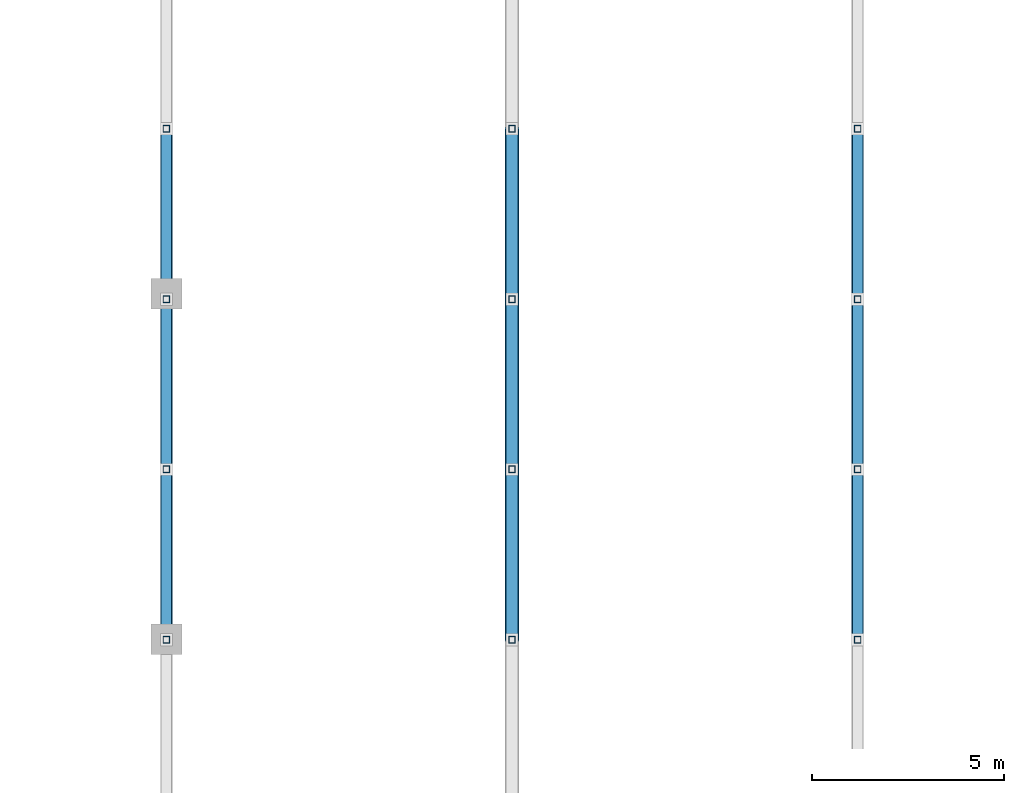
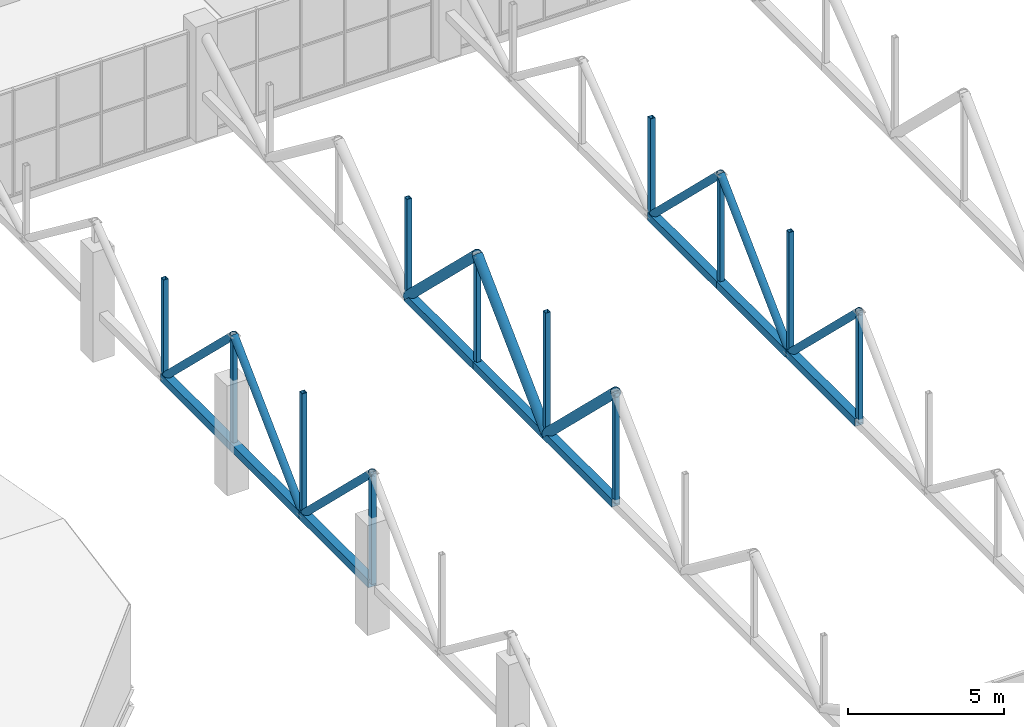
# One storey, part 17 of 103: 30 members.
"""IFC4 building model written with IfcOpenShell, lengths in metres."""

from ifc_helpers import new_model, si_unit, direction, frame, origin, origin_2d, place, context, subcontext, project, spatial, hollow_rectangle, hollow_circle, extrude, material, material_profile, profile_set, type_object, element, save


model = new_model("IFC4")

# Units and contexts
model_context = context("Model", 3, precision=1e-05, world=origin(), true_north=direction((0.0, 1.0)))
body_context = subcontext(model_context, "Body", "Model", "MODEL_VIEW")
ifc_project = project(units=[si_unit("LENGTHUNIT", "METRE"), si_unit("AREAUNIT", "SQUARE_METRE"), si_unit("VOLUMEUNIT", "CUBIC_METRE"), si_unit("PLANEANGLEUNIT", "RADIAN"), si_unit("MASSUNIT", "GRAM", prefix="KILO")], contexts=[model_context])

# Site, building, storey
site_placement = place(None, origin())
site = spatial("IfcSite", under=ifc_project, at=site_placement, CompositionType="ELEMENT")
building_placement = place(site_placement, origin())
building = spatial("IfcBuilding", under=site, at=building_placement, Name="Cazmaro Siding Exhibition Halls", CompositionType="ELEMENT")
storey_placement = place(building_placement, frame((0.0, 0.0, 16.5)))
storey = spatial("IfcBuildingStorey", under=building, at=storey_placement, Name="L03", CompositionType="ELEMENT", Elevation=16.5)

# Members
ifc_material_1 = material(Name="Steel ASTM A500 Grade C", Category="steel")
ifc_material_profile_1 = material_profile(ifc_material_1, hollow_rectangle(XDim=0.304931640625, YDim=0.304931640625, WallThickness=0.014892578125, at=origin_2d()), Name="HSS12X12X5/8")
ifc_profile_set_1 = profile_set([ifc_material_profile_1], Name="Steel ASTM A500 Grade C")
member_type_1 = type_object("IfcMemberType", Name="TC-02", PredefinedType="CHORD", material=ifc_profile_set_1)
for number, where, z_axis, x_axis, name in (
    (1, (72.0, 26.989990234375, 1.699951171875), (0.0, 1.0, 0.0), (-1.0, 0.0, 0.0), "Warren roof truss bottom chord TC-02 MEM-2315"),
    (2, (72.0, 31.425048828125, 1.699951171875), (0.0, 1.0, 0.0), (-1.0, 0.0, 0.0), "Warren roof truss bottom chord TC-02 MEM-2318"),
):
    element("IfcMember", number, at=place(storey_placement, frame(where, z_axis=z_axis, x_axis=x_axis)), inside=storey, type_object=member_type_1, Name=name, PredefinedType="CHORD", context=body_context, shape_type="SweptSolid", body=[
        extrude(hollow_rectangle(XDim=0.304931640625, YDim=0.304931640625, WallThickness=0.014892578125, at=origin_2d()), origin(), (0.0, 0.0, 1.0), 4.43505859375),
    ])
member_1_placement = place(storey_placement, frame((72.0, 35.860107421875, 1.699951171875), z_axis=(0.0, 1.0, 0.0), x_axis=(-1.0, 0.0, 0.0)))
element("IfcMember", 3, at=member_1_placement, inside=storey, type_object=member_type_1, Name="Warren roof truss bottom chord TC-02 MEM-2321", PredefinedType="CHORD", context=body_context, shape_type="SweptSolid", body=[
    extrude(hollow_rectangle(XDim=0.304931640625, YDim=0.304931640625, WallThickness=0.014892578125, at=origin_2d()), origin(), (0.0, 0.0, 1.0), 4.434814453125),
])
for number, where, z_axis, x_axis, name in (
    (4, (81.0, 26.989990234375, 1.699951171875), (0.0, 1.0, 0.0), (-1.0, 0.0, 0.0), "Warren roof truss bottom chord TC-02 MEM-2354"),
    (5, (81.0, 31.425048828125, 1.699951171875), (0.0, 1.0, 0.0), (-1.0, 0.0, 0.0), "Warren roof truss bottom chord TC-02 MEM-2357"),
):
    element("IfcMember", number, at=place(storey_placement, frame(where, z_axis=z_axis, x_axis=x_axis)), inside=storey, type_object=member_type_1, Name=name, PredefinedType="CHORD", context=body_context, shape_type="SweptSolid", body=[
        extrude(hollow_rectangle(XDim=0.304931640625, YDim=0.304931640625, WallThickness=0.014892578125, at=origin_2d()), origin(), (0.0, 0.0, 1.0), 4.43505859375),
    ])
member_2_placement = place(storey_placement, frame((81.0, 35.860107421875, 1.699951171875), z_axis=(0.0, 1.0, 0.0), x_axis=(-1.0, 0.0, 0.0)))
element("IfcMember", 6, at=member_2_placement, inside=storey, type_object=member_type_1, Name="Warren roof truss bottom chord TC-02 MEM-2360", PredefinedType="CHORD", context=body_context, shape_type="SweptSolid", body=[
    extrude(hollow_rectangle(XDim=0.304931640625, YDim=0.304931640625, WallThickness=0.014892578125, at=origin_2d()), origin(), (0.0, 0.0, 1.0), 4.434814453125),
])
for number, where, z_axis, x_axis, name in (
    (7, (90.0, 26.989990234375, 1.699951171875), (0.0, 1.0, 0.0), (-1.0, 0.0, 0.0), "Warren roof truss bottom chord TC-02 MEM-2393"),
    (8, (90.0, 31.425048828125, 1.699951171875), (0.0, 1.0, 0.0), (-1.0, 0.0, 0.0), "Warren roof truss bottom chord TC-02 MEM-2396"),
):
    element("IfcMember", number, at=place(storey_placement, frame(where, z_axis=z_axis, x_axis=x_axis)), inside=storey, type_object=member_type_1, Name=name, PredefinedType="CHORD", context=body_context, shape_type="SweptSolid", body=[
        extrude(hollow_rectangle(XDim=0.304931640625, YDim=0.304931640625, WallThickness=0.014892578125, at=origin_2d()), origin(), (0.0, 0.0, 1.0), 4.43505859375),
    ])
member_3_placement = place(storey_placement, frame((90.0, 35.860107421875, 1.699951171875), z_axis=(0.0, 1.0, 0.0), x_axis=(-1.0, 0.0, 0.0)))
element("IfcMember", 9, at=member_3_placement, inside=storey, type_object=member_type_1, Name="Warren roof truss bottom chord TC-02 MEM-2399", PredefinedType="CHORD", context=body_context, shape_type="SweptSolid", body=[
    extrude(hollow_rectangle(XDim=0.304931640625, YDim=0.304931640625, WallThickness=0.014892578125, at=origin_2d()), origin(), (0.0, 0.0, 1.0), 4.434814453125),
])
ifc_material_2 = material(Name="Steel ASTM A500 Grade C", Category="steel")
ifc_material_profile_2 = material_profile(ifc_material_2, hollow_rectangle(XDim=0.177978515625, YDim=0.177978515625, WallThickness=0.011962890625, at=origin_2d()), Name="HSS7X7X1/2")
ifc_profile_set_2 = profile_set([ifc_material_profile_2], Name="Steel ASTM A500 Grade C")
member_type_2 = type_object("IfcMemberType", Name="TP-02", PredefinedType="POST", material=ifc_profile_set_2)
member_4_placement = place(storey_placement, frame((72.0, 26.989990234375, 1.699951171875), z_axis=(0.0, 0.0, 1.0), x_axis=(1.0, 0.0, 0.0)))
element("IfcMember", 10, at=member_4_placement, inside=storey, type_object=member_type_2, Name="Warren roof truss vertical TP-02 MEM-2335", PredefinedType="POST", context=body_context, shape_type="SweptSolid", body=[
    extrude(hollow_rectangle(XDim=0.177978515625, YDim=0.177978515625, WallThickness=0.011962890625, at=origin_2d()), origin(), (0.0, 0.0, 1.0), 4.304931640625),
])
member_5_placement = place(storey_placement, frame((72.0, 31.425048828125, 1.699951171875), z_axis=(0.0, 0.0, 1.0), x_axis=(1.0, 0.0, 0.0)))
element("IfcMember", 11, at=member_5_placement, inside=storey, type_object=member_type_2, Name="Warren roof truss vertical TP-02 MEM-2336", PredefinedType="POST", context=body_context, shape_type="SweptSolid", body=[
    extrude(hollow_rectangle(XDim=0.177978515625, YDim=0.177978515625, WallThickness=0.011962890625, at=origin_2d()), origin(), (0.0, 0.0, 1.0), 4.77099609375),
])
member_6_placement = place(storey_placement, frame((72.0, 35.860107421875, 1.699951171875), z_axis=(0.0, 0.0, 1.0), x_axis=(1.0, 0.0, 0.0)))
element("IfcMember", 12, at=member_6_placement, inside=storey, type_object=member_type_2, Name="Warren roof truss vertical TP-02 MEM-2337", PredefinedType="POST", context=body_context, shape_type="SweptSolid", body=[
    extrude(hollow_rectangle(XDim=0.177978515625, YDim=0.177978515625, WallThickness=0.011962890625, at=origin_2d()), origin(), (0.0, 0.0, 1.0), 4.304931640625),
])
member_7_placement = place(storey_placement, frame((72.0, 40.294921875, 1.699951171875), z_axis=(0.0, 0.0, 1.0), x_axis=(1.0, 0.0, 0.0)))
element("IfcMember", 13, at=member_7_placement, inside=storey, type_object=member_type_2, Name="Warren roof truss vertical TP-02 MEM-2338", PredefinedType="POST", context=body_context, shape_type="SweptSolid", body=[
    extrude(hollow_rectangle(XDim=0.177978515625, YDim=0.177978515625, WallThickness=0.011962890625, at=origin_2d()), origin(), (0.0, 0.0, 1.0), 3.839111328125),
])
member_8_placement = place(storey_placement, frame((81.0, 26.989990234375, 1.699951171875), z_axis=(0.0, 0.0, 1.0), x_axis=(1.0, 0.0, 0.0)))
element("IfcMember", 14, at=member_8_placement, inside=storey, type_object=member_type_2, Name="Warren roof truss vertical TP-02 MEM-2374", PredefinedType="POST", context=body_context, shape_type="SweptSolid", body=[
    extrude(hollow_rectangle(XDim=0.177978515625, YDim=0.177978515625, WallThickness=0.011962890625, at=origin_2d()), origin(), (0.0, 0.0, 1.0), 4.304931640625),
])
member_9_placement = place(storey_placement, frame((81.0, 31.425048828125, 1.699951171875), z_axis=(0.0, 0.0, 1.0), x_axis=(1.0, 0.0, 0.0)))
element("IfcMember", 15, at=member_9_placement, inside=storey, type_object=member_type_2, Name="Warren roof truss vertical TP-02 MEM-2375", PredefinedType="POST", context=body_context, shape_type="SweptSolid", body=[
    extrude(hollow_rectangle(XDim=0.177978515625, YDim=0.177978515625, WallThickness=0.011962890625, at=origin_2d()), origin(), (0.0, 0.0, 1.0), 4.77099609375),
])
member_10_placement = place(storey_placement, frame((81.0, 35.860107421875, 1.699951171875), z_axis=(0.0, 0.0, 1.0), x_axis=(1.0, 0.0, 0.0)))
element("IfcMember", 16, at=member_10_placement, inside=storey, type_object=member_type_2, Name="Warren roof truss vertical TP-02 MEM-2376", PredefinedType="POST", context=body_context, shape_type="SweptSolid", body=[
    extrude(hollow_rectangle(XDim=0.177978515625, YDim=0.177978515625, WallThickness=0.011962890625, at=origin_2d()), origin(), (0.0, 0.0, 1.0), 4.304931640625),
])
member_11_placement = place(storey_placement, frame((81.0, 40.294921875, 1.699951171875), z_axis=(0.0, 0.0, 1.0), x_axis=(1.0, 0.0, 0.0)))
element("IfcMember", 17, at=member_11_placement, inside=storey, type_object=member_type_2, Name="Warren roof truss vertical TP-02 MEM-2377", PredefinedType="POST", context=body_context, shape_type="SweptSolid", body=[
    extrude(hollow_rectangle(XDim=0.177978515625, YDim=0.177978515625, WallThickness=0.011962890625, at=origin_2d()), origin(), (0.0, 0.0, 1.0), 3.839111328125),
])
member_12_placement = place(storey_placement, frame((90.0, 26.989990234375, 1.699951171875), z_axis=(0.0, 0.0, 1.0), x_axis=(1.0, 0.0, 0.0)))
element("IfcMember", 18, at=member_12_placement, inside=storey, type_object=member_type_2, Name="Warren roof truss vertical TP-02 MEM-2413", PredefinedType="POST", context=body_context, shape_type="SweptSolid", body=[
    extrude(hollow_rectangle(XDim=0.177978515625, YDim=0.177978515625, WallThickness=0.011962890625, at=origin_2d()), origin(), (0.0, 0.0, 1.0), 4.304931640625),
])
member_13_placement = place(storey_placement, frame((90.0, 31.425048828125, 1.699951171875), z_axis=(0.0, 0.0, 1.0), x_axis=(1.0, 0.0, 0.0)))
element("IfcMember", 19, at=member_13_placement, inside=storey, type_object=member_type_2, Name="Warren roof truss vertical TP-02 MEM-2414", PredefinedType="POST", context=body_context, shape_type="SweptSolid", body=[
    extrude(hollow_rectangle(XDim=0.177978515625, YDim=0.177978515625, WallThickness=0.011962890625, at=origin_2d()), origin(), (0.0, 0.0, 1.0), 4.77099609375),
])
member_14_placement = place(storey_placement, frame((90.0, 35.860107421875, 1.699951171875), z_axis=(0.0, 0.0, 1.0), x_axis=(1.0, 0.0, 0.0)))
element("IfcMember", 20, at=member_14_placement, inside=storey, type_object=member_type_2, Name="Warren roof truss vertical TP-02 MEM-2415", PredefinedType="POST", context=body_context, shape_type="SweptSolid", body=[
    extrude(hollow_rectangle(XDim=0.177978515625, YDim=0.177978515625, WallThickness=0.011962890625, at=origin_2d()), origin(), (0.0, 0.0, 1.0), 4.304931640625),
])
member_15_placement = place(storey_placement, frame((90.0, 40.294921875, 1.699951171875), z_axis=(0.0, 0.0, 1.0), x_axis=(1.0, 0.0, 0.0)))
element("IfcMember", 21, at=member_15_placement, inside=storey, type_object=member_type_2, Name="Warren roof truss vertical TP-02 MEM-2416", PredefinedType="POST", context=body_context, shape_type="SweptSolid", body=[
    extrude(hollow_rectangle(XDim=0.177978515625, YDim=0.177978515625, WallThickness=0.011962890625, at=origin_2d()), origin(), (0.0, 0.0, 1.0), 3.839111328125),
])
ifc_material_3 = material(Name="Steel ASTM A500 Grade C", Category="steel")
ifc_material_profile_3 = material_profile(ifc_material_3, hollow_circle(Radius=0.136474609375, WallThickness=0.012939453125, at=origin_2d()), Name="PIPE10XS")
ifc_profile_set_3 = profile_set([ifc_material_profile_3], Name="Steel ASTM A500 Grade C")
member_type_3 = type_object("IfcMemberType", Name="WB-02", PredefinedType="BRACE", material=ifc_profile_set_3)
for number, where, z_axis, x_axis, name in (
    (22, (72.0, 26.989990234375, 6.0048828125), (0.0, 0.717555143773, -0.696501698236), (-1.0, 0.0, 0.0), "Warren roof truss diagonal WB-02 MEM-2316"),
    (23, (72.0, 31.425048828125, 1.699951171875), (0.0, 0.717555143773, 0.696501698236), (-1.0, 0.0, 0.0), "Warren roof truss diagonal WB-02 MEM-2319"),
):
    element("IfcMember", number, at=place(storey_placement, frame(where, z_axis=z_axis, x_axis=x_axis)), inside=storey, type_object=member_type_3, Name=name, PredefinedType="BRACE", context=body_context, shape_type="SweptSolid", body=[
        extrude(hollow_circle(Radius=0.136474609375, WallThickness=0.012939453125, at=origin_2d()), origin(), (0.0, 0.0, 1.0), 6.180908203125),
    ])
member_16_placement = place(storey_placement, frame((72.0, 35.860107421875, 6.0048828125), z_axis=(0.0, 0.71753598098, -0.696521439726), x_axis=(-1.0, 0.0, 0.0)))
element("IfcMember", 24, at=member_16_placement, inside=storey, type_object=member_type_3, Name="Warren roof truss diagonal WB-02 MEM-2322", PredefinedType="BRACE", context=body_context, shape_type="SweptSolid", body=[
    extrude(hollow_circle(Radius=0.136474609375, WallThickness=0.012939453125, at=origin_2d()), origin(), (0.0, 0.0, 1.0), 6.1806640625),
])
for number, where, z_axis, x_axis, name in (
    (25, (90.0, 26.989990234375, 6.0048828125), (0.0, 0.717555143773, -0.696501698236), (-1.0, 0.0, 0.0), "Warren roof truss diagonal WB-02 MEM-2394"),
    (26, (90.0, 31.425048828125, 1.699951171875), (0.0, 0.717555143773, 0.696501698236), (-1.0, 0.0, 0.0), "Warren roof truss diagonal WB-02 MEM-2397"),
):
    element("IfcMember", number, at=place(storey_placement, frame(where, z_axis=z_axis, x_axis=x_axis)), inside=storey, type_object=member_type_3, Name=name, PredefinedType="BRACE", context=body_context, shape_type="SweptSolid", body=[
        extrude(hollow_circle(Radius=0.136474609375, WallThickness=0.012939453125, at=origin_2d()), origin(), (0.0, 0.0, 1.0), 6.180908203125),
    ])
member_17_placement = place(storey_placement, frame((90.0, 35.860107421875, 6.0048828125), z_axis=(0.0, 0.71753598098, -0.696521439726), x_axis=(-1.0, 0.0, 0.0)))
element("IfcMember", 27, at=member_17_placement, inside=storey, type_object=member_type_3, Name="Warren roof truss diagonal WB-02 MEM-2400", PredefinedType="BRACE", context=body_context, shape_type="SweptSolid", body=[
    extrude(hollow_circle(Radius=0.136474609375, WallThickness=0.012939453125, at=origin_2d()), origin(), (0.0, 0.0, 1.0), 6.1806640625),
])
ifc_material_4 = material(Name="Steel ASTM A500 Grade C", Category="steel")
ifc_material_profile_4 = material_profile(ifc_material_4, hollow_circle(Radius=0.177978515625, WallThickness=0.012939453125, at=origin_2d()), Name="PIPE14XS")
ifc_profile_set_4 = profile_set([ifc_material_profile_4], Name="Steel ASTM A500 Grade C")
member_type_4 = type_object("IfcMemberType", Name="WB-06", PredefinedType="BRACE", material=ifc_profile_set_4)
for number, where, z_axis, x_axis, name in (
    (28, (81.0, 26.989990234375, 6.0048828125), (0.0, 0.717555143773, -0.696501698236), (-1.0, 0.0, 0.0), "Warren roof truss diagonal WB-06 MEM-2355"),
    (29, (81.0, 31.425048828125, 1.699951171875), (0.0, 0.717555143773, 0.696501698236), (-1.0, 0.0, 0.0), "Warren roof truss diagonal WB-06 MEM-2358"),
):
    element("IfcMember", number, at=place(storey_placement, frame(where, z_axis=z_axis, x_axis=x_axis)), inside=storey, type_object=member_type_4, Name=name, PredefinedType="BRACE", context=body_context, shape_type="SweptSolid", body=[
        extrude(hollow_circle(Radius=0.177978515625, WallThickness=0.012939453125, at=origin_2d()), origin(), (0.0, 0.0, 1.0), 6.180908203125),
    ])
member_18_placement = place(storey_placement, frame((81.0, 35.860107421875, 6.0048828125), z_axis=(0.0, 0.71753598098, -0.696521439726), x_axis=(-1.0, 0.0, 0.0)))
element("IfcMember", 30, at=member_18_placement, inside=storey, type_object=member_type_4, Name="Warren roof truss diagonal WB-06 MEM-2361", PredefinedType="BRACE", context=body_context, shape_type="SweptSolid", body=[
    extrude(hollow_circle(Radius=0.177978515625, WallThickness=0.012939453125, at=origin_2d()), origin(), (0.0, 0.0, 1.0), 6.1806640625),
])

save(model, "model.ifc")
